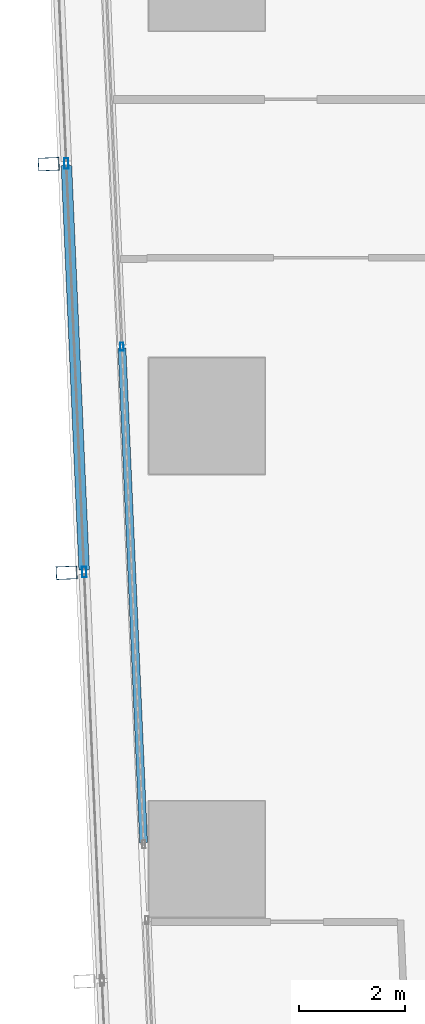
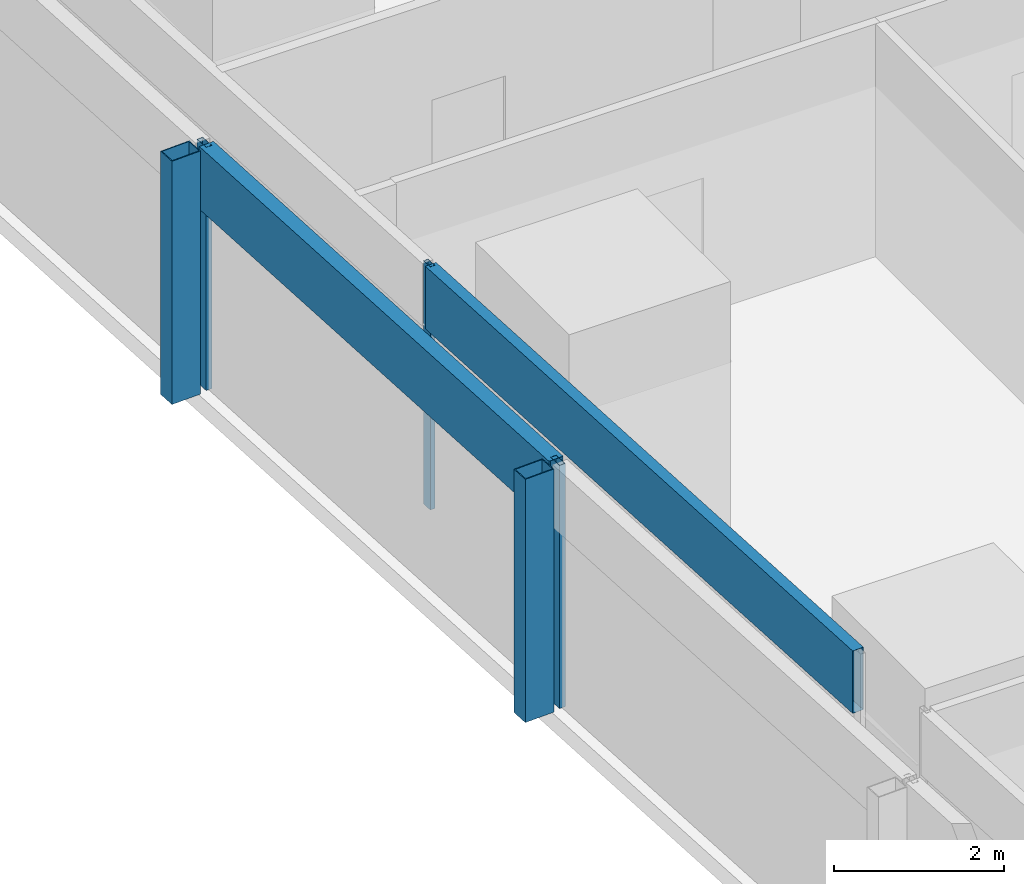
# One storey, part 7 of 44: 7 members, 2 elements without a shape of their own.
"""IFC4 building model written with IfcOpenShell, lengths in metres."""

from ifc_helpers import new_model, si_unit, direction, frame, origin, origin_2d, place, context, subcontext, project, spatial, hollow_rectangle, extrude, material, material_profile, profile_set, type_object, element, aggregate, save


model = new_model("IFC4")

# Units and contexts
model_context = context("Model", 3, precision=1e-05, world=origin(), true_north=direction((0.0, 1.0)))
body_context = subcontext(model_context, "Body", "Model", "MODEL_VIEW")
ifc_project = project(units=[si_unit("LENGTHUNIT", "METRE"), si_unit("AREAUNIT", "SQUARE_METRE"), si_unit("VOLUMEUNIT", "CUBIC_METRE"), si_unit("PLANEANGLEUNIT", "RADIAN"), si_unit("MASSUNIT", "GRAM", prefix="KILO")], contexts=[model_context])

# Site, building, storey
site_placement = place(None, origin())
site = spatial("IfcSite", under=ifc_project, at=site_placement, CompositionType="ELEMENT")
building_placement = place(site_placement, origin())
building = spatial("IfcBuilding", under=site, at=building_placement, Name="Rekha Terrace Tower", CompositionType="ELEMENT")
storey_placement = place(building_placement, frame((0.0, 0.0, 51.64990234375)))
storey = spatial("IfcBuildingStorey", under=building, at=storey_placement, Name="L12", CompositionType="ELEMENT", Elevation=51.64990234375)

# Curtain wall, members
ifc_material_1 = material(Name="Aluminium framing", Category="aluminium")
curtain_wall_type_1 = type_object("IfcCurtainWallType", Name="CW2 double skin outer glazing", PredefinedType="USERDEFINED", material=ifc_material_1)
curtain_wall_1_placement = place(storey_placement, origin())
curtain_wall_1 = element("IfcCurtainWall", 1, at=curtain_wall_1_placement, inside=storey, type_object=curtain_wall_type_1, Name="CW2 double skin outer glazing", ObjectType="DOUBLE SKIN OUTER GLAZING", PredefinedType="USERDEFINED")
ifc_material_2 = material(Name="Steel S355 with fluorocarbon finish", Category="steel")
ifc_material_profile_1 = material_profile(ifc_material_2, hollow_rectangle(XDim=0.25, YDim=0.39990234375, WallThickness=0.012451171875, at=origin_2d()), Name="RHS400x250x12.5")
ifc_profile_set_1 = profile_set([ifc_material_profile_1], Name="Steel S355 with fluorocarbon finish")
member_type_1 = type_object("IfcMemberType", Name="BL1 facade blade RHS 400 x 250", PredefinedType="USERDEFINED", material=ifc_profile_set_1)
member_1_placement = place(storey_placement, frame((5.40283203125, 29.97119140625, 0.0), z_axis=(0.0, 0.0, 1.0), x_axis=(0.04368215933, -0.999045478923, 0.0)))
member_1 = element("IfcMember", 2, at=member_1_placement, type_object=member_type_1, Name="Facade blade", ObjectType="FACADE BLADE", PredefinedType="USERDEFINED", context=body_context, shape_type="SweptSolid", body=[
    extrude(hollow_rectangle(XDim=0.25, YDim=0.39990234375, WallThickness=0.012451171875, at=origin_2d()), origin(), (0.0, 0.0, 1.0), 3.5),
])
member_2_placement = place(storey_placement, frame((5.74169921875, 22.226806640625, 0.0), z_axis=(0.0, 0.0, 1.0), x_axis=(0.04368215933, -0.999045478923, 0.0)))
member_2 = element("IfcMember", 3, at=member_2_placement, type_object=member_type_1, Name="Facade blade", ObjectType="FACADE BLADE", PredefinedType="USERDEFINED", context=body_context, shape_type="SweptSolid", body=[
    extrude(hollow_rectangle(XDim=0.25, YDim=0.39990234375, WallThickness=0.012451171875, at=origin_2d()), origin(), (0.0, 0.0, 1.0), 3.5),
])

curtain_wall_type_2 = type_object("IfcCurtainWallType", Name="CW1 double skin inner glazing", PredefinedType="USERDEFINED", material=ifc_material_1)
curtain_wall_2_placement = place(storey_placement, origin())
curtain_wall_2 = element("IfcCurtainWall", 4, at=curtain_wall_2_placement, inside=storey, type_object=curtain_wall_type_2, Name="CW1 double skin inner glazing", ObjectType="DOUBLE SKIN INNER GLAZING", PredefinedType="USERDEFINED")
ifc_material_3 = material(Name="Aluminium mullion section", Category="aluminium")
ifc_material_profile_2 = material_profile(ifc_material_3, hollow_rectangle(XDim=0.06494140625, YDim=0.14990234375, WallThickness=0.00390625, at=origin_2d()), Name="AL RHS 65x150")
ifc_profile_set_2 = profile_set([ifc_material_profile_2], Name="Aluminium mullion section")
member_type_2 = type_object("IfcMemberType", Name="CW1 mullion RHS 65 x 150", PredefinedType="MULLION", material=ifc_profile_set_2)
member_3_placement = place(storey_placement, frame((6.790283203125, 26.5126953125, 0.0), z_axis=(0.0, 0.0, 1.0), x_axis=(0.999045462133, 0.043682543337, 0.0)))
member_3 = element("IfcMember", 5, at=member_3_placement, type_object=member_type_2, Name="CW1 mullion 3", PredefinedType="MULLION", context=body_context, shape_type="SweptSolid", body=[
    extrude(hollow_rectangle(XDim=0.06494140625, YDim=0.14990234375, WallThickness=0.00390625, at=origin_2d()), origin(), (0.0, 0.0, 1.0), 3.5),
])
ifc_material_4 = material(Name="Insulated aluminium spandrel box", Category="aluminium")
ifc_material_profile_3 = material_profile(ifc_material_4, hollow_rectangle(XDim=0.14990234375, YDim=0.89990234375, WallThickness=0.0029296875, at=origin_2d()), Name="AL SPANDREL BOX 150x900")
ifc_profile_set_3 = profile_set([ifc_material_profile_3], Name="Insulated aluminium spandrel box")
member_type_3 = type_object("IfcMemberType", Name="CW1 spandrel transom 150 x 900", PredefinedType="USERDEFINED", material=ifc_profile_set_3)
member_4_placement = place(storey_placement, frame((6.791748046875, 26.480224609375, 3.050048828125), z_axis=(0.043688050697, -0.999045221312, 0.0), x_axis=(0.999045221312, 0.043688050697, 0.0)))
member_4 = element("IfcMember", 6, at=member_4_placement, type_object=member_type_3, Name="CW1 spandrel transom 3", ObjectType="TRANSOM", PredefinedType="USERDEFINED", context=body_context, shape_type="SweptSolid", body=[
    extrude(hollow_rectangle(XDim=0.14990234375, YDim=0.89990234375, WallThickness=0.0029296875, at=origin_2d()), origin(), (0.0, 0.0, 1.0), 9.377197265625),
])
aggregate(curtain_wall_2, [member_3, member_4])

# Member
ifc_material_profile_4 = material_profile(ifc_material_3, hollow_rectangle(XDim=0.080078125, YDim=0.199951171875, WallThickness=0.00390625, at=origin_2d()), Name="AL RHS 80x200")
ifc_profile_set_4 = profile_set([ifc_material_profile_4], Name="Aluminium mullion section")
member_type_4 = type_object("IfcMemberType", Name="CW2 mullion RHS 80 x 200", PredefinedType="MULLION", material=ifc_profile_set_4)
member_5_placement = place(storey_placement, frame((5.737548828125, 29.98583984375, 0.0), z_axis=(0.0, 0.0, 1.0), x_axis=(0.999045462131, 0.043682543372, 0.0)))
member_5 = element("IfcMember", 7, at=member_5_placement, type_object=member_type_4, Name="CW2 mullion 3", PredefinedType="MULLION", context=body_context, shape_type="SweptSolid", body=[
    extrude(hollow_rectangle(XDim=0.080078125, YDim=0.199951171875, WallThickness=0.00390625, at=origin_2d()), origin(), (0.0, 0.0, 1.0), 3.5),
])

member_6_placement = place(storey_placement, frame((6.076171875, 22.241455078125, 0.0), z_axis=(0.0, 0.0, 1.0), x_axis=(0.999045462131, 0.043682543372, 0.0)))
member_6 = element("IfcMember", 8, at=member_6_placement, type_object=member_type_4, Name="CW2 mullion 4", PredefinedType="MULLION", context=body_context, shape_type="SweptSolid", body=[
    extrude(hollow_rectangle(XDim=0.080078125, YDim=0.199951171875, WallThickness=0.00390625, at=origin_2d()), origin(), (0.0, 0.0, 1.0), 3.5),
])

ifc_material_profile_5 = material_profile(ifc_material_4, hollow_rectangle(XDim=0.199951171875, YDim=0.89990234375, WallThickness=0.0029296875, at=origin_2d()), Name="AL SPANDREL BOX 200x900")
ifc_profile_set_5 = profile_set([ifc_material_profile_5], Name="Insulated aluminium spandrel box")
member_type_5 = type_object("IfcMemberType", Name="CW2 spandrel transom 200 x 900", PredefinedType="USERDEFINED", material=ifc_profile_set_5)
member_7_placement = place(storey_placement, frame((5.7392578125, 29.94580078125, 3.050048828125), z_axis=(0.04369270591, -0.99904501773, 0.0), x_axis=(0.99904501773, 0.04369270591, 0.0)))
member_7 = element("IfcMember", 9, at=member_7_placement, type_object=member_type_5, Name="CW2 spandrel transom 3", ObjectType="TRANSOM", PredefinedType="USERDEFINED", context=body_context, shape_type="SweptSolid", body=[
    extrude(hollow_rectangle(XDim=0.199951171875, YDim=0.89990234375, WallThickness=0.0029296875, at=origin_2d()), origin(), (0.0, 0.0, 1.0), 7.671875),
])

aggregate(curtain_wall_1, [member_5, member_6, member_7, member_1, member_2])

save(model, "model.ifc")
